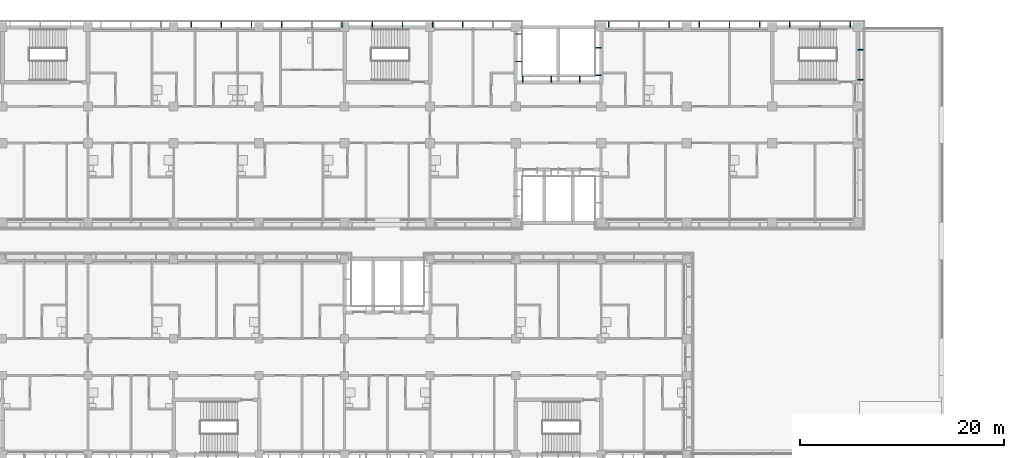
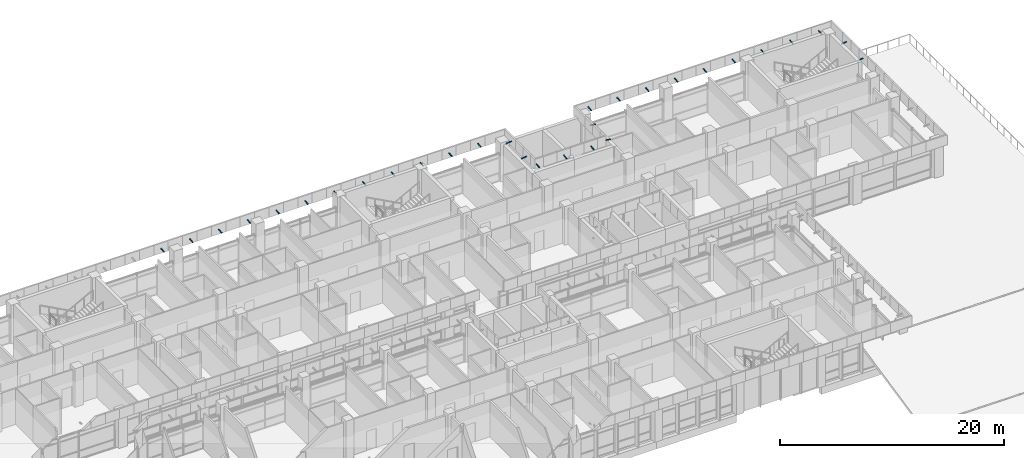
# One storey, part 111 of 137: 30 discrete accessories.
"""IFC4 building model written with IfcOpenShell, lengths in metres."""

import ifcopenshell
import ifcopenshell.guid

model = None  # the IFC model being written
_history = None  # IfcOwnerHistory: only IFC2X3 demands one
_inside = {}  # id of a spatial element -> (the spatial element, [elements in it])
_under = {}  # id of a project, library or spatial element -> (it, [spatial elements below it])
_declared = {}  # id of a project -> (the project, [libraries it declares])
_typed = {}  # id of a type object -> (the type object, [elements of that type])
_made_of = {}  # id of a material, layer set ... -> (it, [elements and type objects made of it])


def new_model(schema):
    """Start an empty IFC model of exactly this schema.

    Asked for "IFC4X3", IfcOpenShell would pick the latest addendum, in which some entities
    have other attributes; the version numbers below select the first issue.
    IFC2X3 requires an IfcOwnerHistory on every rooted entity: one is made here for all.
    """
    global model, _history
    if schema == "IFC4X3":
        model = ifcopenshell.file(schema_version=(4, 3, 0, 0))
    else:
        model = ifcopenshell.file(schema=schema)
    _inside.clear()
    _under.clear()
    _declared.clear()
    _typed.clear()
    _made_of.clear()
    _history = None
    if model.schema == "IFC2X3":
        org = make("IfcOrganization", Name="unknown")
        user = make(
            "IfcPersonAndOrganization",
            ThePerson=make("IfcPerson", FamilyName="unknown"),
            TheOrganization=org,
        )
        app = make(
            "IfcApplication",
            ApplicationDeveloper=org,
            Version="unknown",
            ApplicationFullName="unknown",
            ApplicationIdentifier="unknown",
        )
        _history = make(
            "IfcOwnerHistory",
            OwningUser=user,
            OwningApplication=app,
            ChangeAction="ADDED",
            CreationDate=0,
        )
    return model


def make(cls, **values):
    """One entity of the class cls with the attributes given. An attribute that is None is left unset."""
    return model.create_entity(
        cls, **{name: value for name, value in values.items() if value is not None}
    )


def rooted(cls, **values):
    """An entity with a GlobalId (a new one), such as an element, a storey or a relation."""
    return make(cls, GlobalId=ifcopenshell.guid.new(), OwnerHistory=_history, **values)


def si_unit(unit_type, name, prefix=None):
    """IfcSIUnit, for example si_unit("LENGTHUNIT", "METRE", prefix="MILLI")."""
    return make("IfcSIUnit", UnitType=unit_type, Prefix=prefix, Name=name)


def assignment(units):
    """IfcUnitAssignment: the units of a project."""
    return None if units is None else make("IfcUnitAssignment", Units=units)


def point(xyz):
    """IfcCartesianPoint."""
    return None if xyz is None else make("IfcCartesianPoint", Coordinates=xyz)


def direction(xyz):
    """IfcDirection."""
    return None if xyz is None else make("IfcDirection", DirectionRatios=xyz)


def frame(location, z_axis=None, x_axis=None):
    """IfcAxis2Placement3D, a coordinate frame: its origin and axes. An axis left out is left unset."""
    return make(
        "IfcAxis2Placement3D",
        Location=point(location),
        Axis=direction(z_axis),
        RefDirection=direction(x_axis),
    )


def frame_2d(location, x_axis=None):
    """IfcAxis2Placement2D, a coordinate frame in the plane: its origin and x axis."""
    return make(
        "IfcAxis2Placement2D", Location=point(location), RefDirection=direction(x_axis)
    )


def origin():
    """The frame at (0, 0, 0) with its axes left unset."""
    return frame((0.0, 0.0, 0.0))


def origin_2d():
    """The frame at (0, 0) in the plane with its x axis left unset."""
    return frame_2d((0.0, 0.0))


def place(relative_to, where):
    """IfcLocalPlacement: puts the frame where relative to a parent placement (None: the world)."""
    return make(
        "IfcLocalPlacement", PlacementRelTo=relative_to, RelativePlacement=where
    )


def context(
    kind, dimensions, precision=None, world=None, true_north=None, identifier=None
):
    """IfcGeometricRepresentationContext, for example the 3D "Model" context."""
    return make(
        "IfcGeometricRepresentationContext",
        ContextIdentifier=identifier,
        ContextType=kind,
        CoordinateSpaceDimension=dimensions,
        Precision=precision,
        WorldCoordinateSystem=world,
        TrueNorth=true_north,
    )


def subcontext(parent, identifier, kind, view, scale=None):
    """IfcGeometricRepresentationSubContext, for example "Body" below "Model"."""
    return make(
        "IfcGeometricRepresentationSubContext",
        ContextIdentifier=identifier,
        ContextType=kind,
        ParentContext=parent,
        TargetScale=scale,
        TargetView=view,
    )


def project(units=None, contexts=None):
    """IfcProject with its units and contexts."""
    return rooted(
        "IfcProject",
        Name="project",
        RepresentationContexts=contexts,
        UnitsInContext=assignment(units),
    )


def spatial(cls, under=None, at=None, **own):
    """A site, building, storey or space (cls), placed at a placement, below another one or the project."""
    s = rooted(cls, ObjectPlacement=at, **own)
    if under is not None:
        _under.setdefault(under.id(), (under, []))[1].append(s)
    return s


def profile(cls, at=None, kind="AREA", **sizes):
    """A parametric profile (cls). Its sizes go by their IFC names, for example OverallWidth=200.0."""
    return make(cls, ProfileType=kind, Position=at, **sizes)


def rectangle(**sizes):
    """IfcRectangleProfileDef."""
    return profile("IfcRectangleProfileDef", **sizes)


def extrude(swept, where, along, depth):
    """IfcExtrudedAreaSolid: the profile swept, set in the frame where, extruded along a direction by depth."""
    return make(
        "IfcExtrudedAreaSolid",
        SweptArea=swept,
        Position=where,
        ExtrudedDirection=direction(along),
        Depth=depth,
    )


def shape(context_of_items, identifier, shape_type, items):
    """IfcShapeRepresentation: the items that make up one representation, for example the "Body"."""
    return make(
        "IfcShapeRepresentation",
        ContextOfItems=context_of_items,
        RepresentationIdentifier=identifier,
        RepresentationType=shape_type,
        Items=items,
    )


def material(Name=None, Category=None):
    """IfcMaterial."""
    return make("IfcMaterial", Name=Name, Category=Category)


def material_profile(
    of_material, cross_section, Name=None, Category=None, Priority=None
):
    """IfcMaterialProfile: a cross section and its material."""
    return make(
        "IfcMaterialProfile",
        Name=Name,
        Material=of_material,
        Profile=cross_section,
        Priority=Priority,
        Category=Category,
    )


def profile_set(profiles, Name=None, composite=None):
    """IfcMaterialProfileSet."""
    return make(
        "IfcMaterialProfileSet",
        Name=Name,
        MaterialProfiles=profiles,
        CompositeProfile=composite,
    )


def made_of(thing, what):
    """Note that an element or type object is made of a material, layer set ...; save() writes the relation."""
    if what is not None:
        _made_of.setdefault(what.id(), (what, []))[1].append(thing)
    return thing


def type_object(cls, material=None, **own):
    """A type object (cls), such as IfcWallType, which elements share."""
    return made_of(rooted(cls, **own), material)


def element(
    cls,
    number,
    at=None,
    inside=None,
    cuts=None,
    type_object=None,
    material=None,
    context=None,
    identifier="Body",
    shape_type=None,
    held_by="IfcProductDefinitionShape",
    body=None,
    shapes=None,
    **own,
):
    """One element of the class cls, such as IfcWall. Its Tag is "e" and its number.

    at: its placement. inside: the storey or other place that contains it. cuts: it is an
    opening in that element (IfcRelVoidsElement). A single representation is given by context,
    identifier, shape_type and body (its items); several are given by shapes. held_by: the class
    of the entity that holds the representations. save() writes the other relations.
    """
    e = rooted(cls, Tag="e%d" % number, ObjectPlacement=at, **own)
    if body is not None:
        shapes = [shape(context, identifier, shape_type, body)]
    if shapes is not None:
        e.Representation = make(held_by, Representations=shapes)
    if inside is not None:
        _inside.setdefault(inside.id(), (inside, []))[1].append(e)
    if cuts is not None:
        rooted(
            "IfcRelVoidsElement", RelatingBuildingElement=cuts, RelatedOpeningElement=e
        )
    if type_object is not None:
        _typed.setdefault(type_object.id(), (type_object, []))[1].append(e)
    return made_of(e, material)


def aggregate(whole, parts):
    """IfcRelAggregates: a whole, such as a stair, and the parts it consists of."""
    return rooted("IfcRelAggregates", RelatingObject=whole, RelatedObjects=parts)


def save(model, path):
    """Write the relations noted so far, then the file.

    IfcRelAggregates (storeys below a building ...), IfcRelContainedInSpatialStructure (elements
    in a storey), IfcRelDefinesByType, IfcRelAssociatesMaterial and IfcRelDeclares: one each for
    every whole, place, type object, material and project.
    """
    for whole, parts in _under.values():
        aggregate(whole, parts)
    for where, things in _inside.values():
        rooted(
            "IfcRelContainedInSpatialStructure",
            RelatedElements=things,
            RelatingStructure=where,
        )
    for kind, things in _typed.values():
        rooted("IfcRelDefinesByType", RelatedObjects=things, RelatingType=kind)
    for what, things in _made_of.values():
        rooted("IfcRelAssociatesMaterial", RelatedObjects=things, RelatingMaterial=what)
    for by, libraries in _declared.values():
        rooted("IfcRelDeclares", RelatingContext=by, RelatedDefinitions=libraries)
    model.write(path)


model = new_model("IFC4")

# Units and contexts
model_context = context("Model", 3, precision=1e-05, world=origin(), true_north=direction((0.0, 1.0)))
body_context = subcontext(model_context, "Body", "Model", "MODEL_VIEW")
ifc_project = project(units=[si_unit("LENGTHUNIT", "METRE"), si_unit("AREAUNIT", "SQUARE_METRE"), si_unit("VOLUMEUNIT", "CUBIC_METRE"), si_unit("PLANEANGLEUNIT", "RADIAN"), si_unit("MASSUNIT", "GRAM", prefix="KILO")], contexts=[model_context])

# Site, building, storey
site_placement = place(None, origin())
site = spatial("IfcSite", under=ifc_project, at=site_placement, CompositionType="ELEMENT")
building_placement = place(site_placement, origin())
building = spatial("IfcBuilding", under=site, at=building_placement, Name="Bougainvillea Quay General Hospital", CompositionType="ELEMENT")
storey_placement = place(building_placement, frame((0.0, 0.0, 16.800048828125)))
storey = spatial("IfcBuildingStorey", under=building, at=storey_placement, Name="L03", CompositionType="ELEMENT", Elevation=16.800048828125)

# Discrete accessories
ifc_material = material(Name="Stainless steel bracket, grade 316", Category="steel")
ifc_material_profile = material_profile(ifc_material, rectangle(XDim=0.080078125, YDim=0.050048828125, at=origin_2d()))
ifc_profile_set = profile_set([ifc_material_profile], Name="Stainless steel bracket, grade 316")
discrete_accessory_type = type_object("IfcDiscreteAccessoryType", Name="Stainless steel stand-off bracket 80x50", PredefinedType="BRACKET", material=ifc_profile_set)
for number, where, z_axis, x_axis, name in (
    (1, (184.800048828125, 154.4306640625, 4.139892578125), (0.994091793559, 0.0, 0.108542645901), (0.0, 1.0, 0.0), "Fascia bracket e0 49"),
    (2, (184.800048828125, 157.384521484375, 4.139892578125), (0.994091793559, 0.0, 0.108542645901), (0.0, 1.0, 0.0), "Fascia bracket e0 51"),
):
    element("IfcDiscreteAccessory", number, at=place(storey_placement, frame(where, z_axis=z_axis, x_axis=x_axis)), inside=storey, type_object=discrete_accessory_type, Name=name, PredefinedType="BRACKET", context=body_context, shape_type="SweptSolid", body=[
        extrude(rectangle(XDim=0.080078125, YDim=0.050048828125, at=origin_2d()), origin(), (0.0, 0.0, 1.0), 0.55322265625),
    ])
for number, where, z_axis, x_axis, name in (
    (3, (184.058837890625, 159.60009765625, 4.139892578125), (0.0, 0.994086591779, 0.108590276011), (-1.0, 0.0, 0.0), "Fascia bracket e0 53"),
    (4, (181.09423828125, 159.60009765625, 4.139892578125), (0.0, 0.994086591779, 0.108590276011), (-1.0, 0.0, 0.0), "Fascia bracket e0 55"),
    (5, (178.12939453125, 159.60009765625, 4.139892578125), (0.0, 0.994086591779, 0.108590276011), (-1.0, 0.0, 0.0), "Fascia bracket e0 57"),
    (6, (175.164794921875, 159.60009765625, 4.139892578125), (0.0, 0.994086591779, 0.108590276011), (-1.0, 0.0, 0.0), "Fascia bracket e0 59"),
    (7, (172.199951171875, 159.60009765625, 4.139892578125), (0.0, 0.994086591779, 0.108590276011), (-1.0, 0.0, 0.0), "Fascia bracket e0 61"),
    (8, (169.2353515625, 159.60009765625, 4.139892578125), (0.0, 0.994086591779, 0.108590276011), (-1.0, 0.0, 0.0), "Fascia bracket e0 63"),
    (9, (166.2705078125, 159.60009765625, 4.139892578125), (0.0, 0.994086591779, 0.108590276011), (-1.0, 0.0, 0.0), "Fascia bracket e0 65"),
    (10, (163.305908203125, 159.60009765625, 4.139892578125), (0.0, 0.994086591779, 0.108590276011), (-1.0, 0.0, 0.0), "Fascia bracket e0 67"),
    (11, (160.341064453125, 159.60009765625, 4.139892578125), (0.0, 0.994086591779, 0.108590276011), (-1.0, 0.0, 0.0), "Fascia bracket e0 69"),
):
    element("IfcDiscreteAccessory", number, at=place(storey_placement, frame(where, z_axis=z_axis, x_axis=x_axis)), inside=storey, type_object=discrete_accessory_type, Name=name, PredefinedType="BRACKET", context=body_context, shape_type="SweptSolid", body=[
        extrude(rectangle(XDim=0.080078125, YDim=0.050048828125, at=origin_2d()), origin(), (0.0, 0.0, 1.0), 0.552978515625),
    ])
for number, where, z_axis, x_axis, name in (
    (12, (159.60009765625, 157.574951171875, 4.139892578125), (-0.994091793559, 0.0, 0.108542645901), (0.0, -1.0, 0.0), "Fascia bracket e0 71"),
    (13, (159.60009765625, 154.875, 4.139892578125), (-0.994091793559, 0.0, 0.108542645901), (0.0, -1.0, 0.0), "Fascia bracket e0 73"),
    (14, (157.5, 154.199951171875, 4.139892578125), (0.0, 0.994091793559, 0.108542645901), (-1.0, 0.0, 0.0), "Fascia bracket e0 75"),
    (15, (154.699951171875, 154.199951171875, 4.139892578125), (0.0, 0.994091793559, 0.108542645901), (-1.0, 0.0, 0.0), "Fascia bracket e0 77"),
    (16, (151.89990234375, 154.199951171875, 4.139892578125), (0.0, 0.994091793559, 0.108542645901), (-1.0, 0.0, 0.0), "Fascia bracket e0 79"),
    (17, (151.199951171875, 156.22509765625, 4.139892578125), (0.994091793559, 0.0, 0.108542645901), (0.0, 1.0, 0.0), "Fascia bracket e0 81"),
    (18, (151.199951171875, 158.925048828125, 4.139892578125), (0.994091793559, 0.0, 0.108542645901), (0.0, 1.0, 0.0), "Fascia bracket e0 83"),
):
    element("IfcDiscreteAccessory", number, at=place(storey_placement, frame(where, z_axis=z_axis, x_axis=x_axis)), inside=storey, type_object=discrete_accessory_type, Name=name, PredefinedType="BRACKET", context=body_context, shape_type="SweptSolid", body=[
        extrude(rectangle(XDim=0.080078125, YDim=0.050048828125, at=origin_2d()), origin(), (0.0, 0.0, 1.0), 0.55322265625),
    ])
for number, where, z_axis, x_axis, name in (
    (19, (148.9765625, 159.60009765625, 4.139892578125), (0.0, 0.994086591779, 0.108590276011), (-1.0, 0.0, 0.0), "Fascia bracket e0 85"),
    (20, (146.01171875, 159.60009765625, 4.139892578125), (0.0, 0.994086591779, 0.108590276011), (-1.0, 0.0, 0.0), "Fascia bracket e0 87"),
    (21, (143.047119140625, 159.60009765625, 4.139892578125), (0.0, 0.994086591779, 0.108590276011), (-1.0, 0.0, 0.0), "Fascia bracket e0 89"),
    (22, (140.082275390625, 159.60009765625, 4.139892578125), (0.0, 0.994086591779, 0.108590276011), (-1.0, 0.0, 0.0), "Fascia bracket e0 91"),
    (23, (137.11767578125, 159.60009765625, 4.139892578125), (0.0, 0.994086591779, 0.108590276011), (-1.0, 0.0, 0.0), "Fascia bracket e0 93"),
    (24, (134.15283203125, 159.60009765625, 4.139892578125), (0.0, 0.994086591779, 0.108590276011), (-1.0, 0.0, 0.0), "Fascia bracket e0 95"),
    (25, (131.188232421875, 159.60009765625, 4.139892578125), (0.0, 0.994086591779, 0.108590276011), (-1.0, 0.0, 0.0), "Fascia bracket e0 97"),
    (26, (128.2236328125, 159.60009765625, 4.139892578125), (0.0, 0.994086591779, 0.108590276011), (-1.0, 0.0, 0.0), "Fascia bracket e0 99"),
    (27, (125.2587890625, 159.60009765625, 4.139892578125), (0.0, 0.994086591779, 0.108590276011), (-1.0, 0.0, 0.0), "Fascia bracket e0 101"),
    (28, (122.294189453125, 159.60009765625, 4.139892578125), (0.0, 0.994086591779, 0.108590276011), (-1.0, 0.0, 0.0), "Fascia bracket e0 103"),
    (29, (119.329345703125, 159.60009765625, 4.139892578125), (0.0, 0.994086591779, 0.108590276011), (-1.0, 0.0, 0.0), "Fascia bracket e0 105"),
    (30, (116.36474609375, 159.60009765625, 4.139892578125), (0.0, 0.994086591779, 0.108590276011), (-1.0, 0.0, 0.0), "Fascia bracket e0 107"),
):
    element("IfcDiscreteAccessory", number, at=place(storey_placement, frame(where, z_axis=z_axis, x_axis=x_axis)), inside=storey, type_object=discrete_accessory_type, Name=name, PredefinedType="BRACKET", context=body_context, shape_type="SweptSolid", body=[
        extrude(rectangle(XDim=0.080078125, YDim=0.050048828125, at=origin_2d()), origin(), (0.0, 0.0, 1.0), 0.552978515625),
    ])

save(model, "model.ifc")
